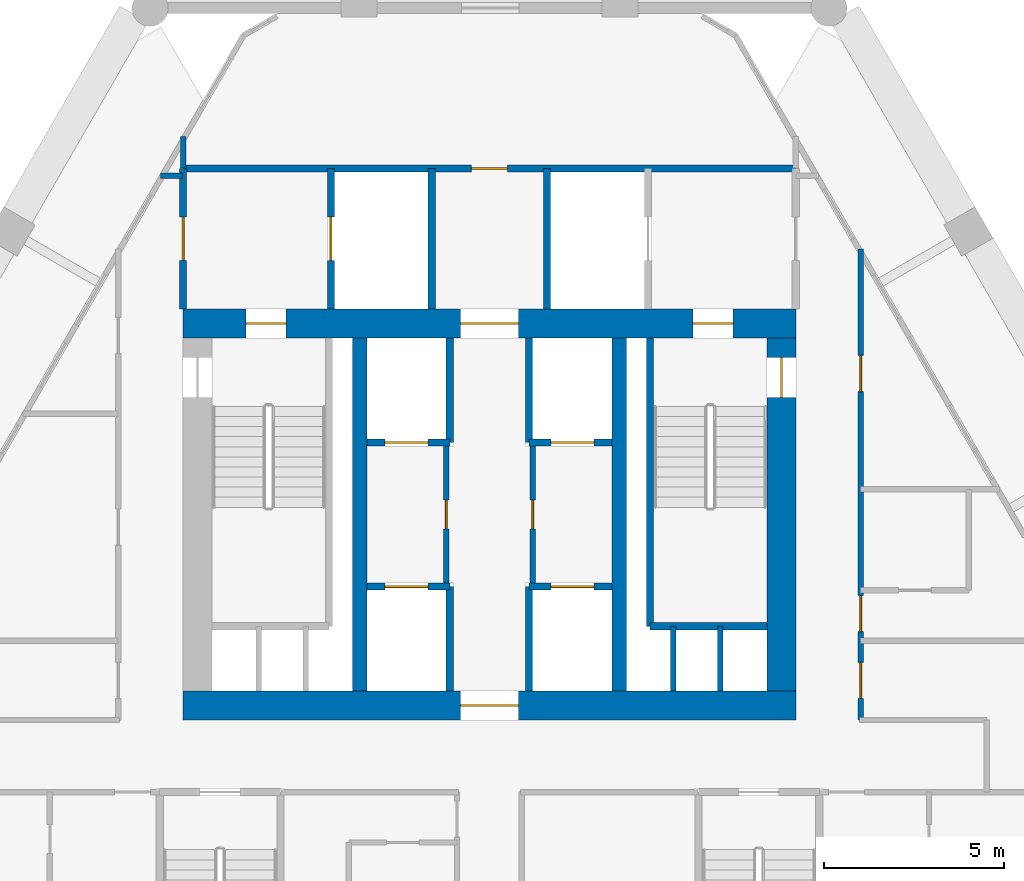
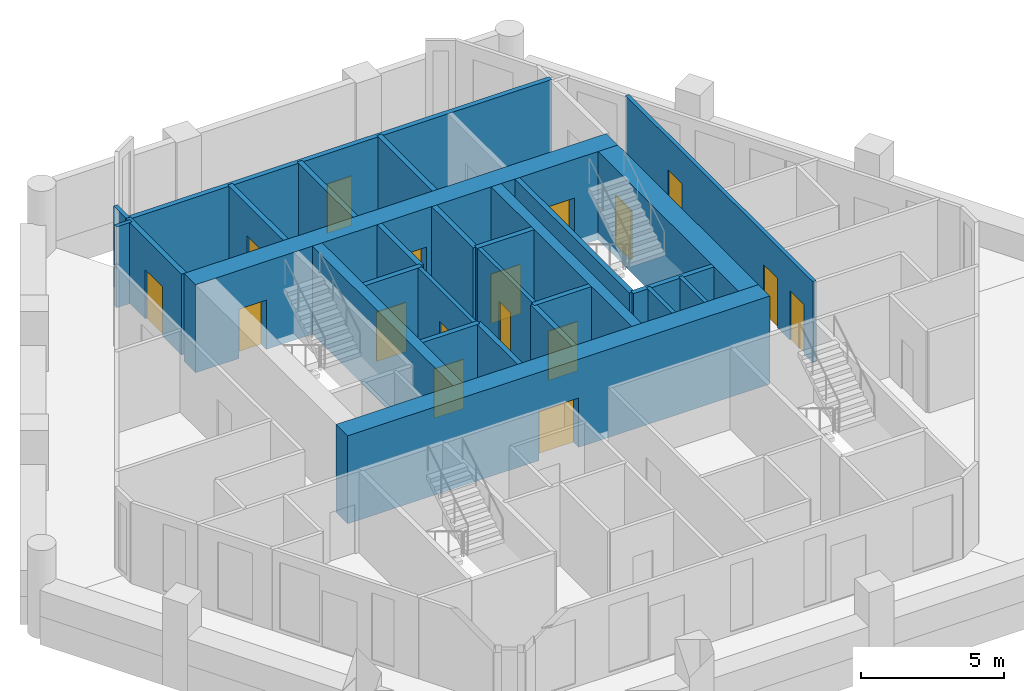
# One storey, part 4 of 7: 27 walls, 17 doors, 17 openings.
"""IFC4 building model written with IfcOpenShell, lengths in metres."""

from ifc_helpers import new_model, si_unit, direction, frame, frame_2d, origin, place, context, subcontext, project, spatial, rectangle, extrude, material, layer, layer_set, type_object, element, fill, save


model = new_model("IFC4")

# Units and contexts
model_context = context("Model", 3, precision=1e-05, world=origin(), true_north=direction((0.0, 1.0)))
body_context = subcontext(model_context, "Body", "Model", "MODEL_VIEW")
ifc_project = project(units=[si_unit("LENGTHUNIT", "METRE"), si_unit("AREAUNIT", "SQUARE_METRE"), si_unit("VOLUMEUNIT", "CUBIC_METRE"), si_unit("PLANEANGLEUNIT", "RADIAN"), si_unit("MASSUNIT", "GRAM", prefix="KILO")], contexts=[model_context])

# Site, building, storey
site_placement = place(None, origin())
site = spatial("IfcSite", under=ifc_project, at=site_placement, CompositionType="ELEMENT")
building_placement = place(site_placement, origin())
building = spatial("IfcBuilding", under=site, at=building_placement, Name="Ostrander Bayou Hotel Tower", CompositionType="ELEMENT")
storey_placement = place(building_placement, frame((0.0, 0.0, 190.75)))
storey = spatial("IfcBuildingStorey", under=building, at=storey_placement, Name="L47", CompositionType="ELEMENT", Elevation=190.75)

# Wall, opening, door
ifc_material_1 = material(Name="Concrete f'c 60 MPa", Category="concrete")
ifc_layer_1 = layer(ifc_material_1, 0.800048828125)
ifc_layer_set_1 = layer_set([ifc_layer_1], Name="CW7 core wall 800 mm f'c 60 MPa")
wall_type_1 = type_object("IfcWallType", Name="CW7 core wall 800 mm f'c 60 MPa", PredefinedType="SHEAR", material=ifc_layer_set_1)
wall_1_placement = place(storey_placement, frame((-8.5, -1.300048828125, -0.300048828125), z_axis=(0.0, 0.0, 1.0), x_axis=(1.0, 0.0, 0.0)))
wall_1 = element("IfcWall", 1, at=wall_1_placement, inside=storey, type_object=wall_type_1, Name="CW7 L47 S", PredefinedType="SHEAR", context=body_context, shape_type="SweptSolid", body=[
    extrude(rectangle(XDim=17.0, YDim=0.800048828125, at=frame_2d((8.5, 0.0))), origin(), (0.0, 0.0, 1.0), 3.75),
])
opening_1_placement = place(wall_1_placement, frame((7.699951171875, 0.0, 0.0)))
opening_1 = element("IfcOpeningElement", 2, at=opening_1_placement, cuts=wall_1, Name="Opening T47-005", PredefinedType="OPENING", context=body_context, shape_type="SweptSolid", body=[
    extrude(rectangle(XDim=1.60009765625, YDim=2.10009765625, at=frame_2d((0.800048828125, 1.050048828125))), frame((0.0, 0.39990234375, 0.0), z_axis=(0.0, -1.0, 0.0), x_axis=(1.0, 0.0, 0.0)), (0.0, 0.0, 1.0), 0.800048828125),
])
ifc_material_2 = material(Name="Timber door leaf", Category="wood")
door_type_1 = type_object("IfcDoorType", Name="D13 double door 1600 x 2100 mm, 1 hour", OperationType="SINGLE_SWING_LEFT", PredefinedType="DOOR", material=ifc_material_2)
door_1_placement = place(opening_1_placement, origin())
door_1 = element("IfcDoor", 3, at=door_1_placement, inside=storey, type_object=door_type_1, Name="dr:L47:005", OperationType="DOUBLE_DOOR_SINGLE_SWING", OverallHeight=2.10009765625, OverallWidth=1.60009765625, PredefinedType="DOOR", context=body_context, shape_type="SweptSolid", body=[
    extrude(rectangle(XDim=1.60009765625, YDim=2.10009765625, at=frame_2d((0.800048828125, 1.050048828125))), frame((0.0, 0.02490234375, 0.0), z_axis=(0.0, -1.0, 0.0), x_axis=(1.0, 0.0, 0.0)), (0.0, 0.0, 1.0), 0.050048828125),
])
fill(opening_1, door_1)

# Wall, openings, doors
wall_2_placement = place(storey_placement, frame((-8.5, 9.300048828125, -0.300048828125), z_axis=(0.0, 0.0, 1.0), x_axis=(1.0, 0.0, 0.0)))
wall_2 = element("IfcWall", 4, at=wall_2_placement, inside=storey, type_object=wall_type_1, Name="CW7 L47 N", PredefinedType="SHEAR", context=body_context, shape_type="SweptSolid", body=[
    extrude(rectangle(XDim=17.0, YDim=0.800048828125, at=frame_2d((8.5, 0.0))), origin(), (0.0, 0.0, 1.0), 3.75),
])
opening_2_placement = place(wall_2_placement, frame((7.699951171875, 0.0, 0.0)))
opening_2 = element("IfcOpeningElement", 5, at=opening_2_placement, cuts=wall_2, Name="Opening T47-006", PredefinedType="OPENING", context=body_context, shape_type="SweptSolid", body=[
    extrude(rectangle(XDim=1.60009765625, YDim=2.10009765625, at=frame_2d((0.800048828125, 1.050048828125))), frame((0.0, 0.39990234375, 0.0), z_axis=(0.0, -1.0, 0.0), x_axis=(1.0, 0.0, 0.0)), (0.0, 0.0, 1.0), 0.800048828125),
])
opening_3_placement = place(wall_2_placement, frame((1.75, 0.0, 0.0)))
opening_3 = element("IfcOpeningElement", 6, at=opening_3_placement, cuts=wall_2, Name="Opening T47-007", PredefinedType="OPENING", context=body_context, shape_type="SweptSolid", body=[
    extrude(rectangle(XDim=1.10009765625, YDim=2.10009765625, at=frame_2d((0.550048828125, 1.050048828125))), frame((0.0, 0.39990234375, 0.0), z_axis=(0.0, -1.0, 0.0), x_axis=(1.0, 0.0, 0.0)), (0.0, 0.0, 1.0), 0.800048828125),
])
opening_4_placement = place(wall_2_placement, frame((14.14990234375, 0.0, 0.0)))
opening_4 = element("IfcOpeningElement", 7, at=opening_4_placement, cuts=wall_2, Name="Opening T47-009", PredefinedType="OPENING", context=body_context, shape_type="SweptSolid", body=[
    extrude(rectangle(XDim=1.10009765625, YDim=2.10009765625, at=frame_2d((0.550048828125, 1.050048828125))), frame((0.0, 0.39990234375, 0.0), z_axis=(0.0, -1.0, 0.0), x_axis=(1.0, 0.0, 0.0)), (0.0, 0.0, 1.0), 0.800048828125),
])
door_2_placement = place(opening_2_placement, origin())
door_2 = element("IfcDoor", 8, at=door_2_placement, inside=storey, type_object=door_type_1, Name="dr:L47:006", OperationType="DOUBLE_DOOR_SINGLE_SWING", OverallHeight=2.10009765625, OverallWidth=1.60009765625, PredefinedType="DOOR", context=body_context, shape_type="SweptSolid", body=[
    extrude(rectangle(XDim=1.60009765625, YDim=2.10009765625, at=frame_2d((0.800048828125, 1.050048828125))), frame((0.0, 0.02490234375, 0.0), z_axis=(0.0, -1.0, 0.0), x_axis=(1.0, 0.0, 0.0)), (0.0, 0.0, 1.0), 0.050048828125),
])
fill(opening_2, door_2)
ifc_material_3 = material(Name="Timber door leaf", Category="wood")
door_type_2 = type_object("IfcDoorType", Name="D5 stair door 1100 x 2100 mm, 90 minute", OperationType="SINGLE_SWING_LEFT", PredefinedType="DOOR", material=ifc_material_3)
door_3_placement = place(opening_3_placement, origin())
door_3 = element("IfcDoor", 9, at=door_3_placement, inside=storey, type_object=door_type_2, Name="dr:L47:007", OperationType="SINGLE_SWING_LEFT", OverallHeight=2.10009765625, OverallWidth=1.10009765625, PredefinedType="DOOR", context=body_context, shape_type="SweptSolid", body=[
    extrude(rectangle(XDim=1.10009765625, YDim=2.10009765625, at=frame_2d((0.550048828125, 1.050048828125))), frame((0.0, 0.02490234375, 0.0), z_axis=(0.0, -1.0, 0.0), x_axis=(1.0, 0.0, 0.0)), (0.0, 0.0, 1.0), 0.050048828125),
])
fill(opening_3, door_3)
door_4_placement = place(opening_4_placement, origin())
door_4 = element("IfcDoor", 10, at=door_4_placement, inside=storey, type_object=door_type_2, Name="dr:L47:009", OperationType="SINGLE_SWING_RIGHT", OverallHeight=2.10009765625, OverallWidth=1.10009765625, PredefinedType="DOOR", context=body_context, shape_type="SweptSolid", body=[
    extrude(rectangle(XDim=1.10009765625, YDim=2.10009765625, at=frame_2d((0.550048828125, 1.050048828125))), frame((0.0, 0.02490234375, 0.0), z_axis=(0.0, -1.0, 0.0), x_axis=(1.0, 0.0, 0.0)), (0.0, 0.0, 1.0), 0.050048828125),
])
fill(opening_4, door_4)

# Wall, opening, door
ifc_material_4 = material(Name="Concrete f'c 60 MPa", Category="concrete")
ifc_layer_2 = layer(ifc_material_4, 0.800048828125)
ifc_layer_set_2 = layer_set([ifc_layer_2], Name="CW8 core spine wall 800 mm f'c 60 MPa")
wall_type_2 = type_object("IfcWallType", Name="CW8 core spine wall 800 mm f'c 60 MPa", PredefinedType="SHEAR", material=ifc_layer_set_2)
wall_3_placement = place(storey_placement, frame((8.10009765625, -0.89990234375, -0.300048828125), z_axis=(0.0, 0.0, 1.0), x_axis=(0.0, 1.0, 0.0)))
wall_3 = element("IfcWall", 11, at=wall_3_placement, inside=storey, type_object=wall_type_2, Name="CW8 L47 E", PredefinedType="SHEAR", context=body_context, shape_type="SweptSolid", body=[
    extrude(rectangle(XDim=9.7998046875, YDim=0.800048828125, at=frame_2d((4.89990234375, 0.0))), origin(), (0.0, 0.0, 1.0), 3.75),
])
opening_5_placement = place(wall_3_placement, frame((8.14990234375, 0.0, 0.0)))
opening_5 = element("IfcOpeningElement", 12, at=opening_5_placement, cuts=wall_3, Name="Opening T47-010", PredefinedType="OPENING", context=body_context, shape_type="SweptSolid", body=[
    extrude(rectangle(XDim=1.10009765625, YDim=2.10009765625, at=frame_2d((0.550048828125, 1.050048828125))), frame((0.0, 0.39990234375, 0.0), z_axis=(0.0, -1.0, 0.0), x_axis=(1.0, 0.0, 0.0)), (0.0, 0.0, 1.0), 0.800048828125),
])
door_5_placement = place(opening_5_placement, origin())
door_5 = element("IfcDoor", 13, at=door_5_placement, inside=storey, type_object=door_type_2, Name="dr:L47:010", OperationType="SINGLE_SWING_LEFT", OverallHeight=2.10009765625, OverallWidth=1.10009765625, PredefinedType="DOOR", context=body_context, shape_type="SweptSolid", body=[
    extrude(rectangle(XDim=1.10009765625, YDim=2.10009765625, at=frame_2d((0.550048828125, 1.050048828125))), frame((0.0, 0.02490234375, 0.0), z_axis=(0.0, -1.0, 0.0), x_axis=(1.0, 0.0, 0.0)), (0.0, 0.0, 1.0), 0.050048828125),
])
fill(opening_5, door_5)

# Walls
ifc_material_5 = material(Name="Concrete f'c 60 MPa", Category="concrete")
ifc_layer_3 = layer(ifc_material_5, 0.39990234375)
ifc_layer_set_3 = layer_set([ifc_layer_3], Name="CW9 core bank wall 400 mm f'c 60 MPa")
wall_type_3 = type_object("IfcWallType", Name="CW9 core bank wall 400 mm f'c 60 MPa", PredefinedType="SHEAR", material=ifc_layer_set_3)
for number, where, z_axis, x_axis, name in (
    (14, (-3.60009765625, -0.89990234375, -0.300048828125), (0.0, 0.0, 1.0), (0.0, 1.0, 0.0), "CW9 L47 CW"),
    (15, (3.60009765625, -0.89990234375, -0.300048828125), (0.0, 0.0, 1.0), (0.0, 1.0, 0.0), "CW9 L47 CE"),
):
    element("IfcWall", number, at=place(storey_placement, frame(where, z_axis=z_axis, x_axis=x_axis)), inside=storey, type_object=wall_type_3, Name=name, PredefinedType="SHEAR", context=body_context, shape_type="SweptSolid", body=[
        extrude(rectangle(XDim=9.7998046875, YDim=0.39990234375, at=frame_2d((4.89990234375, 0.0))), origin(), (0.0, 0.0, 1.0), 3.75),
    ])

# Wall, opening, door
ifc_material_6 = material(Name="Masonry block", Category="masonry")
ifc_layer_4 = layer(ifc_material_6, 0.199951171875)
ifc_layer_set_4 = layer_set([ifc_layer_4], Name="PT5 stair enclosure wall 200 mm masonry, 2 hour")
wall_type_4 = type_object("IfcWallType", Name="PT5 stair enclosure wall 200 mm masonry, 2 hour", PredefinedType="PARTITIONING", material=ifc_layer_set_4)
wall_4_placement = place(storey_placement, frame((-8.5, 13.60009765625, 0.0), z_axis=(0.0, 0.0, 1.0), x_axis=(1.0, 0.0, 0.0)))
wall_4 = element("IfcWall", 16, at=wall_4_placement, inside=storey, type_object=wall_type_4, Name="cs:L47:027", PredefinedType="PARTITIONING", context=body_context, shape_type="SweptSolid", body=[
    extrude(rectangle(XDim=17.0, YDim=0.199951171875, at=frame_2d((8.5, 0.0))), origin(), (0.0, 0.0, 1.0), 3.449951171875),
])
opening_6_placement = place(wall_4_placement, frame((8.0, 0.0, 0.0)))
opening_6 = element("IfcOpeningElement", 17, at=opening_6_placement, cuts=wall_4, Name="Opening T47-017", PredefinedType="OPENING", context=body_context, shape_type="SweptSolid", body=[
    extrude(rectangle(XDim=1.0, YDim=2.10009765625, at=frame_2d((0.5, 1.050048828125))), frame((0.0, 0.10009765625, 0.0), z_axis=(0.0, -1.0, 0.0), x_axis=(1.0, 0.0, 0.0)), (0.0, 0.0, 1.0), 0.199951171875),
])
ifc_material_7 = material(Name="Timber door leaf", Category="wood")
door_type_3 = type_object("IfcDoorType", Name="D9 service door 1000 x 2100 mm, 30 minute", OperationType="SINGLE_SWING_LEFT", PredefinedType="DOOR", material=ifc_material_7)
door_6_placement = place(opening_6_placement, origin())
door_6 = element("IfcDoor", 18, at=door_6_placement, inside=storey, type_object=door_type_3, Name="dr:L47:017", OperationType="SINGLE_SWING_LEFT", OverallHeight=2.10009765625, OverallWidth=1.0, PredefinedType="DOOR", context=body_context, shape_type="SweptSolid", body=[
    extrude(rectangle(XDim=1.0, YDim=2.10009765625, at=frame_2d((0.5, 1.050048828125))), frame((0.0, 0.02490234375, 0.0), z_axis=(0.0, -1.0, 0.0), x_axis=(1.0, 0.0, 0.0)), (0.0, 0.0, 1.0), 0.050048828125),
])
fill(opening_6, door_6)

wall_5_placement = place(storey_placement, frame((-8.5, 9.699951171875, 0.0), z_axis=(0.0, 0.0, 1.0), x_axis=(0.0, 1.0, 0.0)))
wall_5 = element("IfcWall", 19, at=wall_5_placement, inside=storey, type_object=wall_type_4, Name="cs:L47:028", PredefinedType="PARTITIONING", context=body_context, shape_type="SweptSolid", body=[
    extrude(rectangle(XDim=3.900146484375, YDim=0.199951171875, at=frame_2d((1.9501953125, 0.0))), origin(), (0.0, 0.0, 1.0), 3.449951171875),
])
opening_7_placement = place(wall_5_placement, frame((1.35009765625, 0.0, 0.0)))
opening_7 = element("IfcOpeningElement", 20, at=opening_7_placement, cuts=wall_5, Name="Opening T47-014", PredefinedType="OPENING", context=body_context, shape_type="SweptSolid", body=[
    extrude(rectangle(XDim=1.199951171875, YDim=2.10009765625, at=frame_2d((0.60009765625, 1.050048828125))), frame((0.0, 0.10009765625, 0.0), z_axis=(0.0, -1.0, 0.0), x_axis=(1.0, 0.0, 0.0)), (0.0, 0.0, 1.0), 0.199951171875),
])
ifc_material_8 = material(Name="Timber door leaf", Category="wood")
door_type_4 = type_object("IfcDoorType", Name="D7 lobby door 1200 x 2100 mm, 1 hour", OperationType="SINGLE_SWING_LEFT", PredefinedType="DOOR", material=ifc_material_8)
door_7_placement = place(opening_7_placement, origin())
door_7 = element("IfcDoor", 21, at=door_7_placement, inside=storey, type_object=door_type_4, Name="dr:L47:014", OperationType="SINGLE_SWING_LEFT", OverallHeight=2.10009765625, OverallWidth=1.199951171875, PredefinedType="DOOR", context=body_context, shape_type="SweptSolid", body=[
    extrude(rectangle(XDim=1.199951171875, YDim=2.10009765625, at=frame_2d((0.60009765625, 1.050048828125))), frame((0.0, 0.02490234375, 0.0), z_axis=(0.0, -1.0, 0.0), x_axis=(1.0, 0.0, 0.0)), (0.0, 0.0, 1.0), 0.050048828125),
])
fill(opening_7, door_7)

wall_6_placement = place(storey_placement, frame((-4.39990234375, 9.699951171875, 0.0), z_axis=(0.0, 0.0, 1.0), x_axis=(0.0, 1.0, 0.0)))
wall_6 = element("IfcWall", 22, at=wall_6_placement, inside=storey, type_object=wall_type_4, Name="cs:L47:030", PredefinedType="PARTITIONING", context=body_context, shape_type="SweptSolid", body=[
    extrude(rectangle(XDim=3.900146484375, YDim=0.199951171875, at=frame_2d((1.9501953125, 0.0))), origin(), (0.0, 0.0, 1.0), 3.449951171875),
])
opening_8_placement = place(wall_6_placement, frame((1.35009765625, 0.0, 0.0)))
opening_8 = element("IfcOpeningElement", 23, at=opening_8_placement, cuts=wall_6, Name="Opening T47-013", PredefinedType="OPENING", context=body_context, shape_type="SweptSolid", body=[
    extrude(rectangle(XDim=1.199951171875, YDim=2.10009765625, at=frame_2d((0.60009765625, 1.050048828125))), frame((0.0, 0.10009765625, 0.0), z_axis=(0.0, -1.0, 0.0), x_axis=(1.0, 0.0, 0.0)), (0.0, 0.0, 1.0), 0.199951171875),
])
ifc_material_9 = material(Name="Stainless steel sliding door", Category="steel")
door_type_5 = type_object("IfcDoorType", Name="LD1 lift landing door 1200 x 2100 mm", OperationType="SINGLE_SWING_LEFT", PredefinedType="DOOR", material=ifc_material_9)
door_8_placement = place(opening_8_placement, origin())
door_8 = element("IfcDoor", 24, at=door_8_placement, inside=storey, type_object=door_type_5, Name="dr:L47:013", OperationType="SLIDING_TO_LEFT", OverallHeight=2.10009765625, OverallWidth=1.199951171875, PredefinedType="DOOR", context=body_context, shape_type="SweptSolid", body=[
    extrude(rectangle(XDim=1.199951171875, YDim=2.10009765625, at=frame_2d((0.60009765625, 1.050048828125))), frame((0.0, 0.02490234375, 0.0), z_axis=(0.0, -1.0, 0.0), x_axis=(1.0, 0.0, 0.0)), (0.0, 0.0, 1.0), 0.050048828125),
])
fill(opening_8, door_8)

ifc_material_10 = material(Name="Masonry block", Category="masonry")
ifc_layer_5 = layer(ifc_material_10, 0.199951171875)
ifc_layer_set_5 = layer_set([ifc_layer_5], Name="PT6 lift shaft wall 200 mm masonry, 2 hour")
wall_type_5 = type_object("IfcWallType", Name="PT6 lift shaft wall 200 mm masonry, 2 hour", PredefinedType="PARTITIONING", material=ifc_layer_set_5)
wall_7_placement = place(storey_placement, frame((-3.39990234375, 2.0, 0.0), z_axis=(0.0, 0.0, 1.0), x_axis=(1.0, 0.0, 0.0)))
wall_7 = element("IfcWall", 25, at=wall_7_placement, inside=storey, type_object=wall_type_5, Name="cs:L47:001", PredefinedType="PARTITIONING", context=body_context, shape_type="SweptSolid", body=[
    extrude(rectangle(XDim=2.2998046875, YDim=0.199951171875, at=frame_2d((1.14990234375, 0.0))), origin(), (0.0, 0.0, 1.0), 3.449951171875),
])
opening_9_placement = place(wall_7_placement, frame((0.5, 0.0, 0.0)))
opening_9 = element("IfcOpeningElement", 26, at=opening_9_placement, cuts=wall_7, Name="Opening T47-001", PredefinedType="OPENING", context=body_context, shape_type="SweptSolid", body=[
    extrude(rectangle(XDim=1.199951171875, YDim=2.10009765625, at=frame_2d((0.60009765625, 1.050048828125))), frame((0.0, 0.10009765625, 0.0), z_axis=(0.0, -1.0, 0.0), x_axis=(1.0, 0.0, 0.0)), (0.0, 0.0, 1.0), 0.199951171875),
])
door_9_placement = place(opening_9_placement, origin())
door_9 = element("IfcDoor", 27, at=door_9_placement, inside=storey, type_object=door_type_5, Name="dr:L47:001", OperationType="SLIDING_TO_LEFT", OverallHeight=2.10009765625, OverallWidth=1.199951171875, PredefinedType="DOOR", context=body_context, shape_type="SweptSolid", body=[
    extrude(rectangle(XDim=1.199951171875, YDim=2.10009765625, at=frame_2d((0.60009765625, 1.050048828125))), frame((0.0, 0.02490234375, 0.0), z_axis=(0.0, -1.0, 0.0), x_axis=(1.0, 0.0, 0.0)), (0.0, 0.0, 1.0), 0.050048828125),
])
fill(opening_9, door_9)

wall_8_placement = place(storey_placement, frame((-3.39990234375, 6.0, 0.0), z_axis=(0.0, 0.0, 1.0), x_axis=(1.0, 0.0, 0.0)))
wall_8 = element("IfcWall", 28, at=wall_8_placement, inside=storey, type_object=wall_type_5, Name="cs:L47:002", PredefinedType="PARTITIONING", context=body_context, shape_type="SweptSolid", body=[
    extrude(rectangle(XDim=2.2998046875, YDim=0.199951171875, at=frame_2d((1.14990234375, 0.0))), origin(), (0.0, 0.0, 1.0), 3.449951171875),
])
opening_10_placement = place(wall_8_placement, frame((0.5, 0.0, 0.0)))
opening_10 = element("IfcOpeningElement", 29, at=opening_10_placement, cuts=wall_8, Name="Opening T47-003", PredefinedType="OPENING", context=body_context, shape_type="SweptSolid", body=[
    extrude(rectangle(XDim=1.199951171875, YDim=2.10009765625, at=frame_2d((0.60009765625, 1.050048828125))), frame((0.0, 0.10009765625, 0.0), z_axis=(0.0, -1.0, 0.0), x_axis=(1.0, 0.0, 0.0)), (0.0, 0.0, 1.0), 0.199951171875),
])
door_10_placement = place(opening_10_placement, origin())
door_10 = element("IfcDoor", 30, at=door_10_placement, inside=storey, type_object=door_type_5, Name="dr:L47:003", OperationType="SLIDING_TO_LEFT", OverallHeight=2.10009765625, OverallWidth=1.199951171875, PredefinedType="DOOR", context=body_context, shape_type="SweptSolid", body=[
    extrude(rectangle(XDim=1.199951171875, YDim=2.10009765625, at=frame_2d((0.60009765625, 1.050048828125))), frame((0.0, 0.02490234375, 0.0), z_axis=(0.0, -1.0, 0.0), x_axis=(1.0, 0.0, 0.0)), (0.0, 0.0, 1.0), 0.050048828125),
])
fill(opening_10, door_10)

wall_9_placement = place(storey_placement, frame((1.10009765625, 2.0, 0.0), z_axis=(0.0, 0.0, 1.0), x_axis=(1.0, 0.0, 0.0)))
wall_9 = element("IfcWall", 31, at=wall_9_placement, inside=storey, type_object=wall_type_5, Name="cs:L47:003", PredefinedType="PARTITIONING", context=body_context, shape_type="SweptSolid", body=[
    extrude(rectangle(XDim=2.2998046875, YDim=0.199951171875, at=frame_2d((1.14990234375, 0.0))), origin(), (0.0, 0.0, 1.0), 3.449951171875),
])
opening_11_placement = place(wall_9_placement, frame((0.60009765625, 0.0, 0.0)))
opening_11 = element("IfcOpeningElement", 32, at=opening_11_placement, cuts=wall_9, Name="Opening T47-002", PredefinedType="OPENING", context=body_context, shape_type="SweptSolid", body=[
    extrude(rectangle(XDim=1.199951171875, YDim=2.10009765625, at=frame_2d((0.60009765625, 1.050048828125))), frame((0.0, 0.10009765625, 0.0), z_axis=(0.0, -1.0, 0.0), x_axis=(1.0, 0.0, 0.0)), (0.0, 0.0, 1.0), 0.199951171875),
])
door_11_placement = place(opening_11_placement, origin())
door_11 = element("IfcDoor", 33, at=door_11_placement, inside=storey, type_object=door_type_5, Name="dr:L47:002", OperationType="SLIDING_TO_LEFT", OverallHeight=2.10009765625, OverallWidth=1.199951171875, PredefinedType="DOOR", context=body_context, shape_type="SweptSolid", body=[
    extrude(rectangle(XDim=1.199951171875, YDim=2.10009765625, at=frame_2d((0.60009765625, 1.050048828125))), frame((0.0, 0.02490234375, 0.0), z_axis=(0.0, -1.0, 0.0), x_axis=(1.0, 0.0, 0.0)), (0.0, 0.0, 1.0), 0.050048828125),
])
fill(opening_11, door_11)

wall_10_placement = place(storey_placement, frame((1.10009765625, 6.0, 0.0), z_axis=(0.0, 0.0, 1.0), x_axis=(1.0, 0.0, 0.0)))
wall_10 = element("IfcWall", 34, at=wall_10_placement, inside=storey, type_object=wall_type_5, Name="cs:L47:004", PredefinedType="PARTITIONING", context=body_context, shape_type="SweptSolid", body=[
    extrude(rectangle(XDim=2.2998046875, YDim=0.199951171875, at=frame_2d((1.14990234375, 0.0))), origin(), (0.0, 0.0, 1.0), 3.449951171875),
])
opening_12_placement = place(wall_10_placement, frame((0.60009765625, 0.0, 0.0)))
opening_12 = element("IfcOpeningElement", 35, at=opening_12_placement, cuts=wall_10, Name="Opening T47-004", PredefinedType="OPENING", context=body_context, shape_type="SweptSolid", body=[
    extrude(rectangle(XDim=1.199951171875, YDim=2.10009765625, at=frame_2d((0.60009765625, 1.050048828125))), frame((0.0, 0.10009765625, 0.0), z_axis=(0.0, -1.0, 0.0), x_axis=(1.0, 0.0, 0.0)), (0.0, 0.0, 1.0), 0.199951171875),
])
door_12_placement = place(opening_12_placement, origin())
door_12 = element("IfcDoor", 36, at=door_12_placement, inside=storey, type_object=door_type_5, Name="dr:L47:004", OperationType="SLIDING_TO_LEFT", OverallHeight=2.10009765625, OverallWidth=1.199951171875, PredefinedType="DOOR", context=body_context, shape_type="SweptSolid", body=[
    extrude(rectangle(XDim=1.199951171875, YDim=2.10009765625, at=frame_2d((0.60009765625, 1.050048828125))), frame((0.0, 0.02490234375, 0.0), z_axis=(0.0, -1.0, 0.0), x_axis=(1.0, 0.0, 0.0)), (0.0, 0.0, 1.0), 0.050048828125),
])
fill(opening_12, door_12)

# Walls
for number, where, z_axis, x_axis, name in (
    (37, (-1.10009765625, -0.89990234375, 0.0), (0.0, 0.0, 1.0), (0.0, 1.0, 0.0), "cs:L47:005"),
    (38, (1.10009765625, -0.89990234375, 0.0), (0.0, 0.0, 1.0), (0.0, 1.0, 0.0), "cs:L47:006"),
    (39, (-1.10009765625, 6.0, 0.0), (0.0, 0.0, 1.0), (0.0, 1.0, 0.0), "cs:L47:007"),
    (40, (1.10009765625, 6.0, 0.0), (0.0, 0.0, 1.0), (0.0, 1.0, 0.0), "cs:L47:008"),
):
    element("IfcWall", number, at=place(storey_placement, frame(where, z_axis=z_axis, x_axis=x_axis)), inside=storey, type_object=wall_type_5, Name=name, PredefinedType="PARTITIONING", context=body_context, shape_type="SweptSolid", body=[
        extrude(rectangle(XDim=2.89990234375, YDim=0.199951171875, at=frame_2d((1.449951171875, 0.0))), origin(), (0.0, 0.0, 1.0), 3.449951171875),
    ])
for number, where, z_axis, x_axis, name in (
    (41, (-1.60009765625, 9.699951171875, 0.0), (0.0, 0.0, 1.0), (0.0, 1.0, 0.0), "cs:L47:032"),
    (42, (1.60009765625, 9.699951171875, 0.0), (0.0, 0.0, 1.0), (0.0, 1.0, 0.0), "cs:L47:033"),
):
    element("IfcWall", number, at=place(storey_placement, frame(where, z_axis=z_axis, x_axis=x_axis)), inside=storey, type_object=wall_type_5, Name=name, PredefinedType="PARTITIONING", context=body_context, shape_type="SweptSolid", body=[
        extrude(rectangle(XDim=3.900146484375, YDim=0.199951171875, at=frame_2d((1.9501953125, 0.0))), origin(), (0.0, 0.0, 1.0), 3.449951171875),
    ])
ifc_material_11 = material(Name="Gypsum board partition", Category="finish")
ifc_layer_6 = layer(ifc_material_11, 0.14990234375)
ifc_layer_set_6 = layer_set([ifc_layer_6], Name="PT7 riser wall 150 mm, 2 hour")
wall_type_6 = type_object("IfcWallType", Name="PT7 riser wall 150 mm, 2 hour", PredefinedType="PARTITIONING", material=ifc_layer_set_6)
for number, where, z_axis, x_axis, name in (
    (43, (5.10009765625, -0.89990234375, 0.0), (0.0, 0.0, 1.0), (0.0, 1.0, 0.0), "cs:L47:015"),
    (44, (6.39990234375, -0.89990234375, 0.0), (0.0, 0.0, 1.0), (0.0, 1.0, 0.0), "cs:L47:016"),
):
    element("IfcWall", number, at=place(storey_placement, frame(where, z_axis=z_axis, x_axis=x_axis)), inside=storey, type_object=wall_type_6, Name=name, PredefinedType="PARTITIONING", context=body_context, shape_type="SweptSolid", body=[
        extrude(rectangle(XDim=1.7998046875, YDim=0.14990234375, at=frame_2d((0.89990234375, 0.0))), origin(), (0.0, 0.0, 1.0), 3.449951171875),
    ])

# Wall, opening, door
wall_11_placement = place(storey_placement, frame((-1.199951171875, 2.10009765625, 0.0), z_axis=(0.0, 0.0, 1.0), x_axis=(0.0, 1.0, 0.0)))
wall_11 = element("IfcWall", 45, at=wall_11_placement, inside=storey, type_object=wall_type_6, Name="cs:L47:034", PredefinedType="PARTITIONING", context=body_context, shape_type="SweptSolid", body=[
    extrude(rectangle(XDim=3.7998046875, YDim=0.14990234375, at=frame_2d((1.89990234375, 0.0))), origin(), (0.0, 0.0, 1.0), 3.449951171875),
])
opening_13_placement = place(wall_11_placement, frame((1.5, 0.0, 0.0)))
opening_13 = element("IfcOpeningElement", 46, at=opening_13_placement, cuts=wall_11, Name="Opening T47-018", PredefinedType="OPENING", context=body_context, shape_type="SweptSolid", body=[
    extrude(rectangle(XDim=0.800048828125, YDim=2.10009765625, at=frame_2d((0.39990234375, 1.050048828125))), frame((0.0, 0.074951171875, 0.0), z_axis=(0.0, -1.0, 0.0), x_axis=(1.0, 0.0, 0.0)), (0.0, 0.0, 1.0), 0.14990234375),
])
ifc_material_12 = material(Name="Timber door leaf", Category="wood")
door_type_6 = type_object("IfcDoorType", Name="D6 riser door 800 x 2100 mm, 90 minute", OperationType="SINGLE_SWING_LEFT", PredefinedType="DOOR", material=ifc_material_12)
door_13_placement = place(opening_13_placement, origin())
door_13 = element("IfcDoor", 47, at=door_13_placement, inside=storey, type_object=door_type_6, Name="dr:L47:018", OperationType="SINGLE_SWING_LEFT", OverallHeight=2.10009765625, OverallWidth=0.800048828125, PredefinedType="DOOR", context=body_context, shape_type="SweptSolid", body=[
    extrude(rectangle(XDim=0.800048828125, YDim=2.10009765625, at=frame_2d((0.39990234375, 1.050048828125))), frame((0.0, 0.02490234375, 0.0), z_axis=(0.0, -1.0, 0.0), x_axis=(1.0, 0.0, 0.0)), (0.0, 0.0, 1.0), 0.050048828125),
])
fill(opening_13, door_13)

wall_12_placement = place(storey_placement, frame((1.199951171875, 2.10009765625, 0.0), z_axis=(0.0, 0.0, 1.0), x_axis=(0.0, 1.0, 0.0)))
wall_12 = element("IfcWall", 48, at=wall_12_placement, inside=storey, type_object=wall_type_6, Name="cs:L47:035", PredefinedType="PARTITIONING", context=body_context, shape_type="SweptSolid", body=[
    extrude(rectangle(XDim=3.7998046875, YDim=0.14990234375, at=frame_2d((1.89990234375, 0.0))), origin(), (0.0, 0.0, 1.0), 3.449951171875),
])
opening_14_placement = place(wall_12_placement, frame((1.5, 0.0, 0.0)))
opening_14 = element("IfcOpeningElement", 49, at=opening_14_placement, cuts=wall_12, Name="Opening T47-019", PredefinedType="OPENING", context=body_context, shape_type="SweptSolid", body=[
    extrude(rectangle(XDim=0.800048828125, YDim=2.10009765625, at=frame_2d((0.39990234375, 1.050048828125))), frame((0.0, 0.074951171875, 0.0), z_axis=(0.0, -1.0, 0.0), x_axis=(1.0, 0.0, 0.0)), (0.0, 0.0, 1.0), 0.14990234375),
])
door_14_placement = place(opening_14_placement, origin())
door_14 = element("IfcDoor", 50, at=door_14_placement, inside=storey, type_object=door_type_6, Name="dr:L47:019", OperationType="SINGLE_SWING_RIGHT", OverallHeight=2.10009765625, OverallWidth=0.800048828125, PredefinedType="DOOR", context=body_context, shape_type="SweptSolid", body=[
    extrude(rectangle(XDim=0.800048828125, YDim=2.10009765625, at=frame_2d((0.39990234375, 1.050048828125))), frame((0.0, 0.02490234375, 0.0), z_axis=(0.0, -1.0, 0.0), x_axis=(1.0, 0.0, 0.0)), (0.0, 0.0, 1.0), 0.050048828125),
])
fill(opening_14, door_14)

# Wall
ifc_material_13 = material(Name="Gypsum board partition", Category="finish")
ifc_layer_7 = layer(ifc_material_13, 0.14990234375)
ifc_layer_set_7 = layer_set([ifc_layer_7], Name="PT8 service band wall 150 mm, 1 hour")
wall_type_7 = type_object("IfcWallType", Name="PT8 service band wall 150 mm, 1 hour", PredefinedType="PARTITIONING", material=ifc_layer_set_7)
wall_13_placement = place(storey_placement, frame((-9.125, 13.39990234375, 0.0), z_axis=(0.0, 0.0, 1.0), x_axis=(1.0, 0.0, 0.0)))
element("IfcWall", 51, at=wall_13_placement, inside=storey, type_object=wall_type_7, Name="gw:L47:020", PredefinedType="PARTITIONING", context=body_context, shape_type="SweptSolid", body=[
    extrude(rectangle(XDim=0.614990234375, YDim=0.14990234375, at=frame_2d((0.3076171875, 0.0))), origin(), (0.0, 0.0, 1.0), 3.449951171875),
])

# Wall, openings, doors
wall_14_placement = place(storey_placement, frame((10.300048828125, -1.699951171875, 0.0), z_axis=(0.0, 0.0, 1.0), x_axis=(0.0, 1.0, 0.0)))
wall_14 = element("IfcWall", 52, at=wall_14_placement, inside=storey, type_object=wall_type_7, Name="gw:L47:025", PredefinedType="PARTITIONING", context=body_context, shape_type="SweptSolid", body=[
    extrude(rectangle(XDim=13.06494140625, YDim=0.14990234375, at=frame_2d((6.532470703125, 0.0))), origin(), (0.0, 0.0, 1.0), 3.449951171875),
])
opening_15_placement = place(wall_14_placement, frame((0.60009765625, 0.0, 0.0)))
opening_15 = element("IfcOpeningElement", 53, at=opening_15_placement, cuts=wall_14, Name="Opening T47-414", PredefinedType="OPENING", context=body_context, shape_type="SweptSolid", body=[
    extrude(rectangle(XDim=1.0, YDim=2.10009765625, at=frame_2d((0.5, 1.050048828125))), frame((0.0, 0.074951171875, 0.0), z_axis=(0.0, -1.0, 0.0), x_axis=(1.0, 0.0, 0.0)), (0.0, 0.0, 1.0), 0.14990234375),
])
opening_16_placement = place(wall_14_placement, frame((2.449951171875, 0.0, 0.0)))
opening_16 = element("IfcOpeningElement", 54, at=opening_16_placement, cuts=wall_14, Name="Opening T47-415", PredefinedType="OPENING", context=body_context, shape_type="SweptSolid", body=[
    extrude(rectangle(XDim=1.0, YDim=2.10009765625, at=frame_2d((0.5, 1.050048828125))), frame((0.0, 0.074951171875, 0.0), z_axis=(0.0, -1.0, 0.0), x_axis=(1.0, 0.0, 0.0)), (0.0, 0.0, 1.0), 0.14990234375),
])
opening_17_placement = place(wall_14_placement, frame((9.112060546875, 0.0, 0.0)))
opening_17 = element("IfcOpeningElement", 55, at=opening_17_placement, cuts=wall_14, Name="Opening T47-417", PredefinedType="OPENING", context=body_context, shape_type="SweptSolid", body=[
    extrude(rectangle(XDim=1.0, YDim=2.10009765625, at=frame_2d((0.5, 1.050048828125))), frame((0.0, 0.074951171875, 0.0), z_axis=(0.0, -1.0, 0.0), x_axis=(1.0, 0.0, 0.0)), (0.0, 0.0, 1.0), 0.14990234375),
])
ifc_material_14 = material(Name="Timber door leaf", Category="wood")
door_type_7 = type_object("IfcDoorType", Name="D1 guest room door 1000 x 2100 mm, 30 minute", OperationType="SINGLE_SWING_LEFT", PredefinedType="DOOR", material=ifc_material_14)
door_15_placement = place(opening_16_placement, origin())
door_15 = element("IfcDoor", 56, at=door_15_placement, inside=storey, type_object=door_type_7, Name="dr:L47:415", OperationType="SINGLE_SWING_LEFT", OverallHeight=2.10009765625, OverallWidth=1.0, PredefinedType="DOOR", context=body_context, shape_type="SweptSolid", body=[
    extrude(rectangle(XDim=1.0, YDim=2.10009765625, at=frame_2d((0.5, 1.050048828125))), frame((0.0, 0.02490234375, 0.0), z_axis=(0.0, -1.0, 0.0), x_axis=(1.0, 0.0, 0.0)), (0.0, 0.0, 1.0), 0.050048828125),
])
fill(opening_16, door_15)
ifc_material_15 = material(Name="Timber door leaf", Category="wood")
door_type_8 = type_object("IfcDoorType", Name="D15 room door 1000 x 2100 mm", OperationType="SINGLE_SWING_LEFT", PredefinedType="DOOR", material=ifc_material_15)
door_16_placement = place(opening_15_placement, origin())
door_16 = element("IfcDoor", 57, at=door_16_placement, inside=storey, type_object=door_type_8, Name="dr:L47:414", OperationType="SINGLE_SWING_LEFT", OverallHeight=2.10009765625, OverallWidth=1.0, PredefinedType="DOOR", context=body_context, shape_type="SweptSolid", body=[
    extrude(rectangle(XDim=1.0, YDim=2.10009765625, at=frame_2d((0.5, 1.050048828125))), frame((0.0, 0.02490234375, 0.0), z_axis=(0.0, -1.0, 0.0), x_axis=(1.0, 0.0, 0.0)), (0.0, 0.0, 1.0), 0.050048828125),
])
fill(opening_15, door_16)
door_17_placement = place(opening_17_placement, origin())
door_17 = element("IfcDoor", 58, at=door_17_placement, inside=storey, type_object=door_type_3, Name="dr:L47:417", OperationType="SINGLE_SWING_LEFT", OverallHeight=2.10009765625, OverallWidth=1.0, PredefinedType="DOOR", context=body_context, shape_type="SweptSolid", body=[
    extrude(rectangle(XDim=1.0, YDim=2.10009765625, at=frame_2d((0.5, 1.050048828125))), frame((0.0, 0.02490234375, 0.0), z_axis=(0.0, -1.0, 0.0), x_axis=(1.0, 0.0, 0.0)), (0.0, 0.0, 1.0), 0.050048828125),
])
fill(opening_17, door_17)

# Walls
wall_15_placement = place(storey_placement, frame((-8.5, 13.610107421875, 0.0), z_axis=(0.0, 0.0, 1.0), x_axis=(0.0, 1.0, 0.0)))
element("IfcWall", 59, at=wall_15_placement, inside=storey, type_object=wall_type_7, Name="gw:L47:034", PredefinedType="PARTITIONING", context=body_context, shape_type="SweptSolid", body=[
    extrude(rectangle(XDim=0.872802734375, YDim=0.14990234375, at=frame_2d((0.4365234375, 0.0))), origin(), (0.0, 0.0, 1.0), 3.449951171875),
])
ifc_material_16 = material(Name="Concrete f'c 45 MPa", Category="concrete")
ifc_layer_8 = layer(ifc_material_16, 0.199951171875)
ifc_layer_set_8 = layer_set([ifc_layer_8], Name="SW5 stair enclosure wall 200 mm f'c 45 MPa")
wall_type_8 = type_object("IfcWallType", Name="SW5 stair enclosure wall 200 mm f'c 45 MPa", PredefinedType="SOLIDWALL", material=ifc_layer_set_8)
wall_16_placement = place(storey_placement, frame((4.449951171875, 0.89990234375, -0.300048828125), z_axis=(0.0, 0.0, 1.0), x_axis=(0.0, 1.0, 0.0)))
element("IfcWall", 60, at=wall_16_placement, inside=storey, type_object=wall_type_8, Name="cs:L47:013", PredefinedType="SOLIDWALL", context=body_context, shape_type="SweptSolid", body=[
    extrude(rectangle(XDim=8.0, YDim=0.199951171875, at=frame_2d((4.0, 0.0))), origin(), (0.0, 0.0, 1.0), 3.75),
])
wall_17_placement = place(storey_placement, frame((4.449951171875, 0.89990234375, -0.300048828125), z_axis=(0.0, 0.0, 1.0), x_axis=(1.0, 0.0, 0.0)))
element("IfcWall", 61, at=wall_17_placement, inside=storey, type_object=wall_type_8, Name="cs:L47:014", PredefinedType="SOLIDWALL", context=body_context, shape_type="SweptSolid", body=[
    extrude(rectangle(XDim=3.25, YDim=0.199951171875, at=frame_2d((1.625, 0.0))), origin(), (0.0, 0.0, 1.0), 3.75),
])

save(model, "model.ifc")
